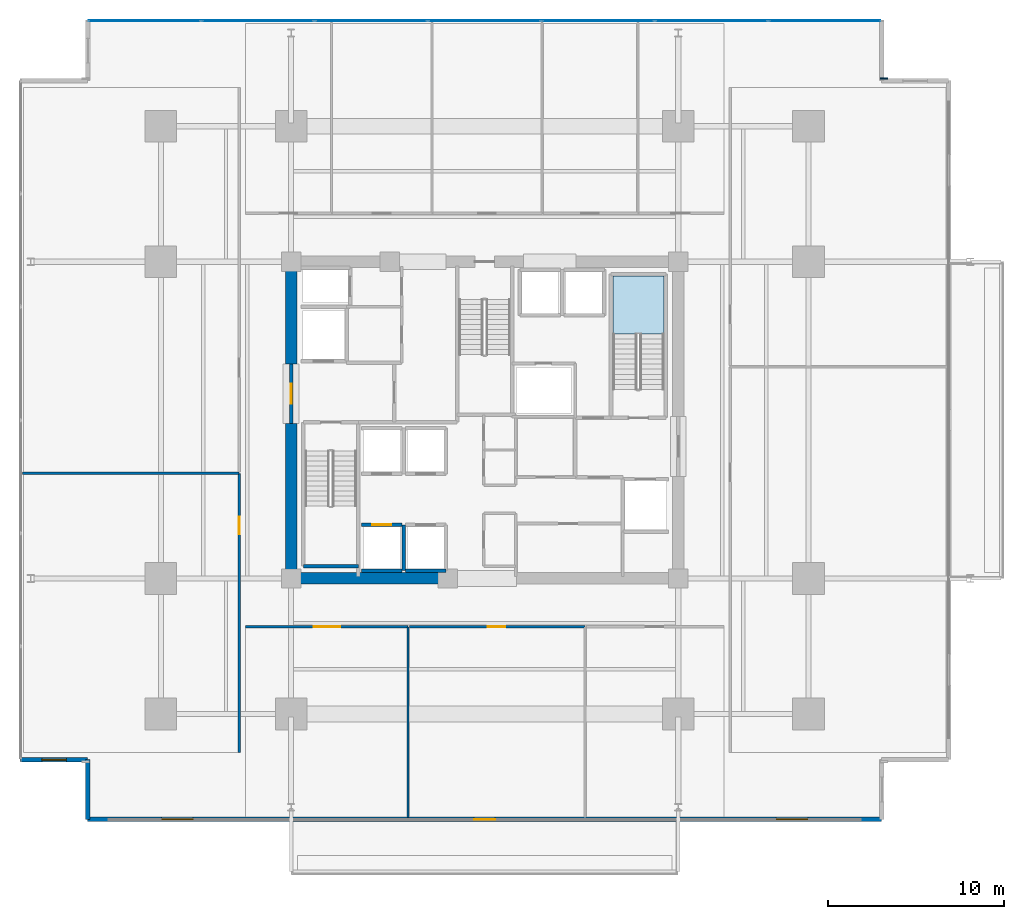
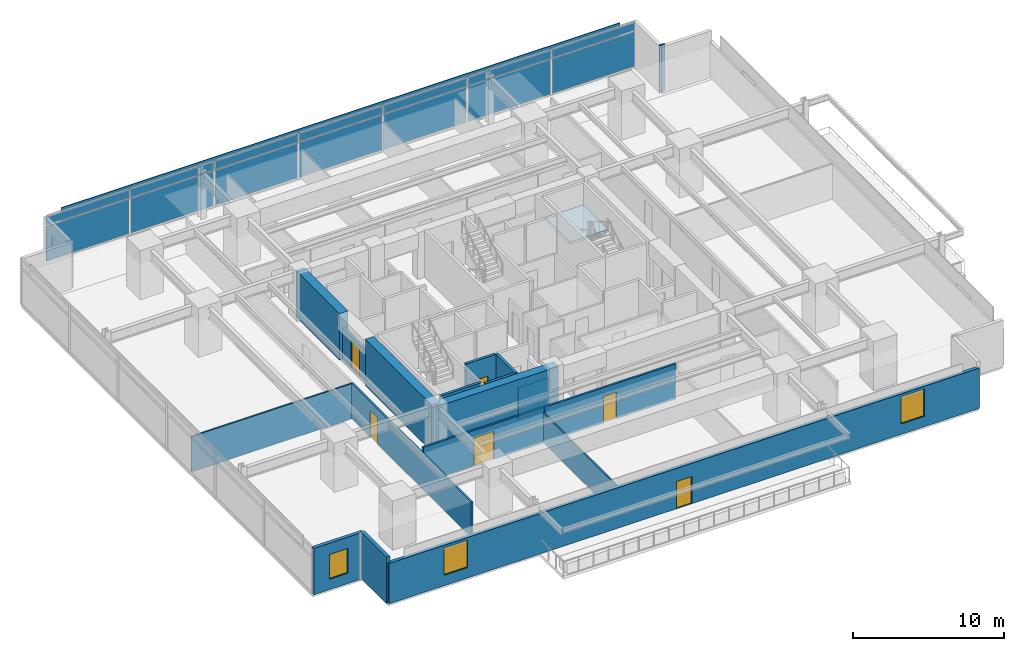
# One storey, part 15 of 23: 17 walls, 16 plates, 6 doors, 3 windows, 1 slab, 9 openings, 2 elements without a shape of their own.
"""IFC4 building model written with IfcOpenShell, lengths in metres."""

import ifcopenshell
import ifcopenshell.guid

model = None  # the IFC model being written
_history = None  # IfcOwnerHistory: only IFC2X3 demands one
_inside = {}  # id of a spatial element -> (the spatial element, [elements in it])
_under = {}  # id of a project, library or spatial element -> (it, [spatial elements below it])
_declared = {}  # id of a project -> (the project, [libraries it declares])
_typed = {}  # id of a type object -> (the type object, [elements of that type])
_made_of = {}  # id of a material, layer set ... -> (it, [elements and type objects made of it])


def new_model(schema):
    """Start an empty IFC model of exactly this schema.

    Asked for "IFC4X3", IfcOpenShell would pick the latest addendum, in which some entities
    have other attributes; the version numbers below select the first issue.
    IFC2X3 requires an IfcOwnerHistory on every rooted entity: one is made here for all.
    """
    global model, _history
    if schema == "IFC4X3":
        model = ifcopenshell.file(schema_version=(4, 3, 0, 0))
    else:
        model = ifcopenshell.file(schema=schema)
    _inside.clear()
    _under.clear()
    _declared.clear()
    _typed.clear()
    _made_of.clear()
    _history = None
    if model.schema == "IFC2X3":
        org = make("IfcOrganization", Name="unknown")
        user = make(
            "IfcPersonAndOrganization",
            ThePerson=make("IfcPerson", FamilyName="unknown"),
            TheOrganization=org,
        )
        app = make(
            "IfcApplication",
            ApplicationDeveloper=org,
            Version="unknown",
            ApplicationFullName="unknown",
            ApplicationIdentifier="unknown",
        )
        _history = make(
            "IfcOwnerHistory",
            OwningUser=user,
            OwningApplication=app,
            ChangeAction="ADDED",
            CreationDate=0,
        )
    return model


def make(cls, **values):
    """One entity of the class cls with the attributes given. An attribute that is None is left unset."""
    return model.create_entity(
        cls, **{name: value for name, value in values.items() if value is not None}
    )


def rooted(cls, **values):
    """An entity with a GlobalId (a new one), such as an element, a storey or a relation."""
    return make(cls, GlobalId=ifcopenshell.guid.new(), OwnerHistory=_history, **values)


def si_unit(unit_type, name, prefix=None):
    """IfcSIUnit, for example si_unit("LENGTHUNIT", "METRE", prefix="MILLI")."""
    return make("IfcSIUnit", UnitType=unit_type, Prefix=prefix, Name=name)


def assignment(units):
    """IfcUnitAssignment: the units of a project."""
    return None if units is None else make("IfcUnitAssignment", Units=units)


def point(xyz):
    """IfcCartesianPoint."""
    return None if xyz is None else make("IfcCartesianPoint", Coordinates=xyz)


def direction(xyz):
    """IfcDirection."""
    return None if xyz is None else make("IfcDirection", DirectionRatios=xyz)


def frame(location, z_axis=None, x_axis=None):
    """IfcAxis2Placement3D, a coordinate frame: its origin and axes. An axis left out is left unset."""
    return make(
        "IfcAxis2Placement3D",
        Location=point(location),
        Axis=direction(z_axis),
        RefDirection=direction(x_axis),
    )


def frame_2d(location, x_axis=None):
    """IfcAxis2Placement2D, a coordinate frame in the plane: its origin and x axis."""
    return make(
        "IfcAxis2Placement2D", Location=point(location), RefDirection=direction(x_axis)
    )


def origin():
    """The frame at (0, 0, 0) with its axes left unset."""
    return frame((0.0, 0.0, 0.0))


def origin_2d():
    """The frame at (0, 0) in the plane with its x axis left unset."""
    return frame_2d((0.0, 0.0))


def place(relative_to, where):
    """IfcLocalPlacement: puts the frame where relative to a parent placement (None: the world)."""
    return make(
        "IfcLocalPlacement", PlacementRelTo=relative_to, RelativePlacement=where
    )


def context(
    kind, dimensions, precision=None, world=None, true_north=None, identifier=None
):
    """IfcGeometricRepresentationContext, for example the 3D "Model" context."""
    return make(
        "IfcGeometricRepresentationContext",
        ContextIdentifier=identifier,
        ContextType=kind,
        CoordinateSpaceDimension=dimensions,
        Precision=precision,
        WorldCoordinateSystem=world,
        TrueNorth=true_north,
    )


def subcontext(parent, identifier, kind, view, scale=None):
    """IfcGeometricRepresentationSubContext, for example "Body" below "Model"."""
    return make(
        "IfcGeometricRepresentationSubContext",
        ContextIdentifier=identifier,
        ContextType=kind,
        ParentContext=parent,
        TargetScale=scale,
        TargetView=view,
    )


def project(units=None, contexts=None):
    """IfcProject with its units and contexts."""
    return rooted(
        "IfcProject",
        Name="project",
        RepresentationContexts=contexts,
        UnitsInContext=assignment(units),
    )


def spatial(cls, under=None, at=None, **own):
    """A site, building, storey or space (cls), placed at a placement, below another one or the project."""
    s = rooted(cls, ObjectPlacement=at, **own)
    if under is not None:
        _under.setdefault(under.id(), (under, []))[1].append(s)
    return s


def polyline(points):
    """IfcPolyline through the points."""
    return make("IfcPolyline", Points=[point(p) for p in points])


def profile(cls, at=None, kind="AREA", **sizes):
    """A parametric profile (cls). Its sizes go by their IFC names, for example OverallWidth=200.0."""
    return make(cls, ProfileType=kind, Position=at, **sizes)


def rectangle(**sizes):
    """IfcRectangleProfileDef."""
    return profile("IfcRectangleProfileDef", **sizes)


def outline(outer, holes=None, kind="AREA"):
    """IfcArbitraryClosedProfileDef: a profile drawn as a closed curve; with holes, ...WithVoids."""
    if holes is None:
        return make("IfcArbitraryClosedProfileDef", ProfileType=kind, OuterCurve=outer)
    return make(
        "IfcArbitraryProfileDefWithVoids",
        ProfileType=kind,
        OuterCurve=outer,
        InnerCurves=holes,
    )


def extrude(swept, where, along, depth):
    """IfcExtrudedAreaSolid: the profile swept, set in the frame where, extruded along a direction by depth."""
    return make(
        "IfcExtrudedAreaSolid",
        SweptArea=swept,
        Position=where,
        ExtrudedDirection=direction(along),
        Depth=depth,
    )


def shape(context_of_items, identifier, shape_type, items):
    """IfcShapeRepresentation: the items that make up one representation, for example the "Body"."""
    return make(
        "IfcShapeRepresentation",
        ContextOfItems=context_of_items,
        RepresentationIdentifier=identifier,
        RepresentationType=shape_type,
        Items=items,
    )


def material(Name=None, Category=None):
    """IfcMaterial."""
    return make("IfcMaterial", Name=Name, Category=Category)


def layer(
    of_material, thickness, ventilated=None, Name=None, Category=None, Priority=None
):
    """IfcMaterialLayer: one layer of a wall or slab, of a material (None: an air gap)."""
    return make(
        "IfcMaterialLayer",
        Material=of_material,
        LayerThickness=thickness,
        IsVentilated=ventilated,
        Name=Name,
        Category=Category,
        Priority=Priority,
    )


def layer_set(layers, Name=None):
    """IfcMaterialLayerSet."""
    return make("IfcMaterialLayerSet", MaterialLayers=layers, LayerSetName=Name)


def made_of(thing, what):
    """Note that an element or type object is made of a material, layer set ...; save() writes the relation."""
    if what is not None:
        _made_of.setdefault(what.id(), (what, []))[1].append(thing)
    return thing


def type_object(cls, material=None, **own):
    """A type object (cls), such as IfcWallType, which elements share."""
    return made_of(rooted(cls, **own), material)


def element(
    cls,
    number,
    at=None,
    inside=None,
    cuts=None,
    type_object=None,
    material=None,
    context=None,
    identifier="Body",
    shape_type=None,
    held_by="IfcProductDefinitionShape",
    body=None,
    shapes=None,
    **own,
):
    """One element of the class cls, such as IfcWall. Its Tag is "e" and its number.

    at: its placement. inside: the storey or other place that contains it. cuts: it is an
    opening in that element (IfcRelVoidsElement). A single representation is given by context,
    identifier, shape_type and body (its items); several are given by shapes. held_by: the class
    of the entity that holds the representations. save() writes the other relations.
    """
    e = rooted(cls, Tag="e%d" % number, ObjectPlacement=at, **own)
    if body is not None:
        shapes = [shape(context, identifier, shape_type, body)]
    if shapes is not None:
        e.Representation = make(held_by, Representations=shapes)
    if inside is not None:
        _inside.setdefault(inside.id(), (inside, []))[1].append(e)
    if cuts is not None:
        rooted(
            "IfcRelVoidsElement", RelatingBuildingElement=cuts, RelatedOpeningElement=e
        )
    if type_object is not None:
        _typed.setdefault(type_object.id(), (type_object, []))[1].append(e)
    return made_of(e, material)


def fill(opening, filler):
    """IfcRelFillsElement: the door or window that sits in an opening."""
    return rooted(
        "IfcRelFillsElement",
        RelatingOpeningElement=opening,
        RelatedBuildingElement=filler,
    )


def aggregate(whole, parts):
    """IfcRelAggregates: a whole, such as a stair, and the parts it consists of."""
    return rooted("IfcRelAggregates", RelatingObject=whole, RelatedObjects=parts)


def save(model, path):
    """Write the relations noted so far, then the file.

    IfcRelAggregates (storeys below a building ...), IfcRelContainedInSpatialStructure (elements
    in a storey), IfcRelDefinesByType, IfcRelAssociatesMaterial and IfcRelDeclares: one each for
    every whole, place, type object, material and project.
    """
    for whole, parts in _under.values():
        aggregate(whole, parts)
    for where, things in _inside.values():
        rooted(
            "IfcRelContainedInSpatialStructure",
            RelatedElements=things,
            RelatingStructure=where,
        )
    for kind, things in _typed.values():
        rooted("IfcRelDefinesByType", RelatedObjects=things, RelatingType=kind)
    for what, things in _made_of.values():
        rooted("IfcRelAssociatesMaterial", RelatedObjects=things, RelatingMaterial=what)
    for by, libraries in _declared.values():
        rooted("IfcRelDeclares", RelatingContext=by, RelatedDefinitions=libraries)
    model.write(path)


model = new_model("IFC4")

# Units and contexts
model_context = context("Model", 3, precision=1e-05, world=origin(), true_north=direction((0.0, 1.0)))
body_context = subcontext(model_context, "Body", "Model", "MODEL_VIEW")
ifc_project = project(units=[si_unit("LENGTHUNIT", "METRE"), si_unit("AREAUNIT", "SQUARE_METRE"), si_unit("VOLUMEUNIT", "CUBIC_METRE"), si_unit("PLANEANGLEUNIT", "RADIAN"), si_unit("MASSUNIT", "GRAM", prefix="KILO")], contexts=[model_context])

# Site, building, storey
site_placement = place(None, origin())
site = spatial("IfcSite", under=ifc_project, at=site_placement, CompositionType="ELEMENT")
building_placement = place(site_placement, origin())
building = spatial("IfcBuilding", under=site, at=building_placement, Name="Kovane Verandah Tower", CompositionType="ELEMENT")
storey_placement = place(building_placement, frame((0.0, 0.0, 91.60009765625)))
storey = spatial("IfcBuildingStorey", under=building, at=storey_placement, Name="L21", CompositionType="ELEMENT", Elevation=91.60009765625)

# Curtain wall, plates
ifc_material_1 = material(Name="Champagne Anodised Aluminium Frame with Low-E Clear Laminated Glass", Category="aluminium")
curtain_wall_type = type_object("IfcCurtainWallType", Name="CW-SYS-02-LOW", PredefinedType="NOTDEFINED", material=ifc_material_1)
curtain_wall_placement = place(storey_placement, origin())
curtain_wall = element("IfcCurtainWall", 1, at=curtain_wall_placement, inside=storey, type_object=curtain_wall_type, Name="L21 N Unitised Curtain Wall", PredefinedType="NOTDEFINED")
ifc_material_2 = material(Name="Pale Champagne Anodised Aluminium Insulated Spandrel", Category="aluminium")
ifc_layer_1 = layer(ifc_material_2, 0.0400390625)
ifc_layer_set_1 = layer_set([ifc_layer_1], Name="Pale Champagne Anodised Aluminium Insulated Spandrel")
plate_type_1 = type_object("IfcPlateType", Name="PL-CW-SPD-40", PredefinedType="SHEET", material=ifc_layer_set_1)
plate_1_placement = place(storey_placement, frame((59.3408203125, 50.19482421875, 3.02978515625), z_axis=(0.0, 0.0, 1.0), x_axis=(-1.0, 0.0, 0.0)))
plate_1 = element("IfcPlate", 2, at=plate_1_placement, type_object=plate_type_1, Name="L21 N Unitised Curtain Wall Spandrel Panel 1", PredefinedType="SHEET", context=body_context, shape_type="SweptSolid", body=[
    extrude(rectangle(XDim=6.306884765625, YDim=0.0400390625, at=origin_2d()), origin(), (0.0, 0.0, 1.0), 0.639892578125),
])
plate_2_placement = place(storey_placement, frame((52.893798828125, 50.19482421875, 3.02978515625), z_axis=(0.0, 0.0, 1.0), x_axis=(-1.0, 0.0, 0.0)))
plate_2 = element("IfcPlate", 3, at=plate_2_placement, type_object=plate_type_1, Name="L21 N Unitised Curtain Wall Spandrel Panel 2", PredefinedType="SHEET", context=body_context, shape_type="SweptSolid", body=[
    extrude(rectangle(XDim=6.306884765625, YDim=0.0400390625, at=origin_2d()), origin(), (0.0, 0.0, 1.0), 0.639892578125),
])
plate_3_placement = place(storey_placement, frame((46.447021484375, 50.19482421875, 3.02978515625), z_axis=(0.0, 0.0, 1.0), x_axis=(-1.0, 0.0, 0.0)))
plate_3 = element("IfcPlate", 4, at=plate_3_placement, type_object=plate_type_1, Name="L21 N Unitised Curtain Wall Spandrel Panel 3", PredefinedType="SHEET", context=body_context, shape_type="SweptSolid", body=[
    extrude(rectangle(XDim=6.306884765625, YDim=0.0400390625, at=origin_2d()), origin(), (0.0, 0.0, 1.0), 0.639892578125),
])
plate_4_placement = place(storey_placement, frame((40.0, 50.19482421875, 3.02978515625), z_axis=(0.0, 0.0, 1.0), x_axis=(-1.0, 0.0, 0.0)))
plate_4 = element("IfcPlate", 5, at=plate_4_placement, type_object=plate_type_1, Name="L21 N Unitised Curtain Wall Spandrel Panel 4", PredefinedType="SHEET", context=body_context, shape_type="SweptSolid", body=[
    extrude(rectangle(XDim=6.306884765625, YDim=0.0400390625, at=origin_2d()), origin(), (0.0, 0.0, 1.0), 0.639892578125),
])
plate_5_placement = place(storey_placement, frame((33.552978515625, 50.19482421875, 3.02978515625), z_axis=(0.0, 0.0, 1.0), x_axis=(-1.0, 0.0, 0.0)))
plate_5 = element("IfcPlate", 6, at=plate_5_placement, type_object=plate_type_1, Name="L21 N Unitised Curtain Wall Spandrel Panel 5", PredefinedType="SHEET", context=body_context, shape_type="SweptSolid", body=[
    extrude(rectangle(XDim=6.306884765625, YDim=0.0400390625, at=origin_2d()), origin(), (0.0, 0.0, 1.0), 0.639892578125),
])
plate_6_placement = place(storey_placement, frame((27.106201171875, 50.19482421875, 3.02978515625), z_axis=(0.0, 0.0, 1.0), x_axis=(-1.0, 0.0, 0.0)))
plate_6 = element("IfcPlate", 7, at=plate_6_placement, type_object=plate_type_1, Name="L21 N Unitised Curtain Wall Spandrel Panel 6", PredefinedType="SHEET", context=body_context, shape_type="SweptSolid", body=[
    extrude(rectangle(XDim=6.306884765625, YDim=0.0400390625, at=origin_2d()), origin(), (0.0, 0.0, 1.0), 0.639892578125),
])
plate_7_placement = place(storey_placement, frame((20.6591796875, 50.19482421875, 3.02978515625), z_axis=(0.0, 0.0, 1.0), x_axis=(-1.0, 0.0, 0.0)))
plate_7 = element("IfcPlate", 8, at=plate_7_placement, type_object=plate_type_1, Name="L21 N Unitised Curtain Wall Spandrel Panel 7", PredefinedType="SHEET", context=body_context, shape_type="SweptSolid", body=[
    extrude(rectangle(XDim=6.306884765625, YDim=0.0400390625, at=origin_2d()), origin(), (0.0, 0.0, 1.0), 0.639892578125),
])
ifc_material_3 = material(Name="Clear Low-E Laminated Double Glazing", Category="glass")
ifc_layer_2 = layer(ifc_material_3, 0.031982421875)
ifc_layer_set_2 = layer_set([ifc_layer_2], Name="Clear Low-E Laminated Double Glazing")
plate_type_2 = type_object("IfcPlateType", Name="PL-CW-VIS-32", PredefinedType="CURTAIN_PANEL", material=ifc_layer_set_2)
plate_8_placement = place(storey_placement, frame((59.3408203125, 50.19482421875, 0.099853515625), z_axis=(0.0, 0.0, 1.0), x_axis=(-1.0, 0.0, 0.0)))
plate_8 = element("IfcPlate", 9, at=plate_8_placement, type_object=plate_type_2, Name="L21 N Unitised Curtain Wall Vision Panel 1", PredefinedType="CURTAIN_PANEL", context=body_context, shape_type="SweptSolid", body=[
    extrude(rectangle(XDim=6.306884765625, YDim=0.031982421875, at=origin_2d()), origin(), (0.0, 0.0, 1.0), 2.830078125),
])
plate_9_placement = place(storey_placement, frame((52.893798828125, 50.19482421875, 0.099853515625), z_axis=(0.0, 0.0, 1.0), x_axis=(-1.0, 0.0, 0.0)))
plate_9 = element("IfcPlate", 10, at=plate_9_placement, type_object=plate_type_2, Name="L21 N Unitised Curtain Wall Vision Panel 2", PredefinedType="CURTAIN_PANEL", context=body_context, shape_type="SweptSolid", body=[
    extrude(rectangle(XDim=6.306884765625, YDim=0.031982421875, at=origin_2d()), origin(), (0.0, 0.0, 1.0), 2.830078125),
])
plate_10_placement = place(storey_placement, frame((46.447021484375, 50.19482421875, 0.099853515625), z_axis=(0.0, 0.0, 1.0), x_axis=(-1.0, 0.0, 0.0)))
plate_10 = element("IfcPlate", 11, at=plate_10_placement, type_object=plate_type_2, Name="L21 N Unitised Curtain Wall Vision Panel 3", PredefinedType="CURTAIN_PANEL", context=body_context, shape_type="SweptSolid", body=[
    extrude(rectangle(XDim=6.306884765625, YDim=0.031982421875, at=origin_2d()), origin(), (0.0, 0.0, 1.0), 2.830078125),
])
plate_11_placement = place(storey_placement, frame((40.0, 50.19482421875, 0.099853515625), z_axis=(0.0, 0.0, 1.0), x_axis=(-1.0, 0.0, 0.0)))
plate_11 = element("IfcPlate", 12, at=plate_11_placement, type_object=plate_type_2, Name="L21 N Unitised Curtain Wall Vision Panel 4", PredefinedType="CURTAIN_PANEL", context=body_context, shape_type="SweptSolid", body=[
    extrude(rectangle(XDim=6.306884765625, YDim=0.031982421875, at=origin_2d()), origin(), (0.0, 0.0, 1.0), 2.830078125),
])
plate_12_placement = place(storey_placement, frame((33.552978515625, 50.19482421875, 0.099853515625), z_axis=(0.0, 0.0, 1.0), x_axis=(-1.0, 0.0, 0.0)))
plate_12 = element("IfcPlate", 13, at=plate_12_placement, type_object=plate_type_2, Name="L21 N Unitised Curtain Wall Vision Panel 5", PredefinedType="CURTAIN_PANEL", context=body_context, shape_type="SweptSolid", body=[
    extrude(rectangle(XDim=6.306884765625, YDim=0.031982421875, at=origin_2d()), origin(), (0.0, 0.0, 1.0), 2.830078125),
])
plate_13_placement = place(storey_placement, frame((27.106201171875, 50.19482421875, 0.099853515625), z_axis=(0.0, 0.0, 1.0), x_axis=(-1.0, 0.0, 0.0)))
plate_13 = element("IfcPlate", 14, at=plate_13_placement, type_object=plate_type_2, Name="L21 N Unitised Curtain Wall Vision Panel 6", PredefinedType="CURTAIN_PANEL", context=body_context, shape_type="SweptSolid", body=[
    extrude(rectangle(XDim=6.306884765625, YDim=0.031982421875, at=origin_2d()), origin(), (0.0, 0.0, 1.0), 2.830078125),
])
plate_14_placement = place(storey_placement, frame((20.6591796875, 50.19482421875, 0.099853515625), z_axis=(0.0, 0.0, 1.0), x_axis=(-1.0, 0.0, 0.0)))
plate_14 = element("IfcPlate", 15, at=plate_14_placement, type_object=plate_type_2, Name="L21 N Unitised Curtain Wall Vision Panel 7", PredefinedType="CURTAIN_PANEL", context=body_context, shape_type="SweptSolid", body=[
    extrude(rectangle(XDim=6.306884765625, YDim=0.031982421875, at=origin_2d()), origin(), (0.0, 0.0, 1.0), 2.830078125),
])
aggregate(curtain_wall, [plate_8, plate_1, plate_9, plate_2, plate_10, plate_3, plate_11, plate_4, plate_12, plate_5, plate_13, plate_6, plate_14, plate_7])

# Plates
ifc_material_4 = material(Name="Timber-Toned Subtropical Aluminium Vertical Blade", Category="wood")
ifc_layer_3 = layer(ifc_material_4, 0.090087890625)
ifc_layer_set_3 = layer_set([ifc_layer_3], Name="Timber-Toned Subtropical Aluminium Vertical Blade")
plate_type_3 = type_object("IfcPlateType", Name="PL-FIN-90", PredefinedType="USERDEFINED", material=ifc_layer_set_3)
plate_15_placement = place(storey_placement, frame((62.68408203125, 46.914794921875, -0.02001953125), z_axis=(0.0, 0.0, 1.0), x_axis=(1.0, 0.0, 0.0)))
element("IfcPlate", 16, at=plate_15_placement, inside=storey, type_object=plate_type_3, Name="L21 NE Timber-Toned Vertical Corner Fin", ObjectType="FIN", PredefinedType="USERDEFINED", context=body_context, shape_type="SweptSolid", body=[
    extrude(rectangle(XDim=0.419921875, YDim=0.090087890625, at=origin_2d()), origin(), (0.0, 0.0, 1.0), 3.820068359375),
])
ifc_material_5 = material(Name="Perforated Pale Champagne Anodised Aluminium Solar Screen", Category="aluminium")
ifc_layer_4 = layer(ifc_material_5, 0.050048828125)
ifc_layer_set_4 = layer_set([ifc_layer_4], Name="Perforated Pale Champagne Anodised Aluminium Solar Screen")
plate_type_4 = type_object("IfcPlateType", Name="PL-SCREEN-50", PredefinedType="USERDEFINED", material=ifc_layer_set_4)
plate_16_placement = place(storey_placement, frame((40.0, 50.2099609375, 2.85986328125), z_axis=(0.0, 0.0, 1.0), x_axis=(-1.0, 0.0, 0.0)))
element("IfcPlate", 17, at=plate_16_placement, inside=storey, type_object=plate_type_4, Name="L21 N Perforated Champagne-Gold Solar Screen", ObjectType="SCREEN", PredefinedType="USERDEFINED", context=body_context, shape_type="SweptSolid", body=[
    extrude(rectangle(XDim=42.72802734375, YDim=0.050048828125, at=origin_2d()), origin(), (0.0, 0.0, 1.0), 1.14990234375),
])

# Stair, slab
ifc_material_6 = material(Name="Concrete C45/55", Category="concrete")
stair_type = type_object("IfcStairType", Name="ST-CORE-1380", PredefinedType="HALF_TURN_STAIR", material=ifc_material_6)
stair_placement = place(storey_placement, origin())
stair = element("IfcStair", 18, at=stair_placement, inside=storey, type_object=stair_type, Name="L21 Exit Stair ST-02", PredefinedType="HALF_TURN_STAIR")
ifc_layer_5 = layer(ifc_material_6, 0.199951171875)
ifc_layer_set_5 = layer_set([ifc_layer_5], Name="Concrete C45/55")
slab_type = type_object("IfcSlabType", Name="SL-LAND-200", PredefinedType="LANDING", material=ifc_layer_set_5)
slab_placement = place(storey_placement, frame((0.0, 0.0, 1.7998046875)))
slab = element("IfcSlab", 19, at=slab_placement, type_object=slab_type, Name="ST-02 landing 1", PredefinedType="LANDING", context=body_context, shape_type="SweptSolid", body=[
    extrude(outline(polyline([(50.199951171875, 32.385009765625), (50.199951171875, 35.699951171875), (47.280029296875, 35.699951171875), (47.280029296875, 32.385009765625), (50.199951171875, 32.385009765625)])), origin(), (0.0, 0.0, 1.0), 0.2001953125),
])
aggregate(stair, [slab])

# Wall, opening, door
ifc_material_7 = material(Name="Fire-Rated Gypsum Stud Partition", Category="gypsum")
ifc_layer_6 = layer(ifc_material_7, 0.14990234375)
ifc_layer_set_6 = layer_set([ifc_layer_6], Name="Fire-Rated Gypsum Stud Partition")
wall_type_1 = type_object("IfcWallType", Name="WL-COR-150", PredefinedType="PARTITIONING", material=ifc_layer_set_6)
wall_1_placement = place(storey_placement, frame((26.39990234375, 15.75, 0.0), z_axis=(0.0, 0.0, 1.0), x_axis=(1.0, 0.0, 0.0)))
wall_1 = element("IfcWall", 20, at=wall_1_placement, inside=storey, type_object=wall_type_1, Name="L21 Client Boardroom S1 Corridor Partition", PredefinedType="PARTITIONING", context=body_context, shape_type="SweptSolid", body=[
    extrude(rectangle(XDim=9.248046875, YDim=0.14990234375, at=frame_2d((4.6240234375, 0.0))), origin(), (0.0, 0.0, 1.0), 2.849853515625),
])
opening_1_placement = place(wall_1_placement, frame((3.888916015625, 0.0, 0.0)))
opening_1 = element("IfcOpeningElement", 21, at=opening_1_placement, cuts=wall_1, Name="Opening DR-L21-022", PredefinedType="OPENING", context=body_context, shape_type="SweptSolid", body=[
    extrude(rectangle(XDim=1.5, YDim=2.25, at=frame_2d((0.75, 1.125))), frame((0.0, 0.074951171875, 0.0), z_axis=(0.0, -1.0, 0.0), x_axis=(1.0, 0.0, 0.0)), (0.0, 0.0, 1.0), 0.14990234375),
])
ifc_material_8 = material(Name="Glazed Timber Fire-Rated Double Door", Category="wood")
door_type_1 = type_object("IfcDoorType", Name="DR-CONF-1500", OperationType="DOUBLE_DOOR_SINGLE_SWING", PredefinedType="DOOR", material=ifc_material_8)
door_1_placement = place(opening_1_placement, origin())
door_1 = element("IfcDoor", 22, at=door_1_placement, inside=storey, type_object=door_type_1, Name="L21 Client Boardroom S1 Entrance Door", OperationType="DOUBLE_DOOR_SINGLE_SWING", OverallHeight=2.25, OverallWidth=1.5, PredefinedType="DOOR", context=body_context, shape_type="SweptSolid", body=[
    extrude(rectangle(XDim=1.5, YDim=2.25, at=frame_2d((0.75, 1.125))), frame((0.0, 0.02490234375, 0.0), z_axis=(0.0, -1.0, 0.0), x_axis=(1.0, 0.0, 0.0)), (0.0, 0.0, 1.0), 0.050048828125),
])
fill(opening_1, door_1)

wall_2_placement = place(storey_placement, frame((35.718017578125, 15.75, 0.0), z_axis=(0.0, 0.0, 1.0), x_axis=(1.0, 0.0, 0.0)))
wall_2 = element("IfcWall", 23, at=wall_2_placement, inside=storey, type_object=wall_type_1, Name="L21 Meeting Room S2 Corridor Partition", PredefinedType="PARTITIONING", context=body_context, shape_type="SweptSolid", body=[
    extrude(rectangle(XDim=9.993896484375, YDim=0.14990234375, at=frame_2d((4.9970703125, 0.0))), origin(), (0.0, 0.0, 1.0), 2.849853515625),
])
opening_2_placement = place(wall_2_placement, frame((4.4619140625, 0.0, 0.0)))
opening_2 = element("IfcOpeningElement", 24, at=opening_2_placement, cuts=wall_2, Name="Opening DR-L21-023", PredefinedType="OPENING", context=body_context, shape_type="SweptSolid", body=[
    extrude(rectangle(XDim=1.0, YDim=2.14990234375, at=frame_2d((0.5, 1.074951171875))), frame((0.0, 0.074951171875, 0.0), z_axis=(0.0, -1.0, 0.0), x_axis=(1.0, 0.0, 0.0)), (0.0, 0.0, 1.0), 0.14990234375),
])
ifc_material_9 = material(Name="FSC Spotted-Gum Timber Fire-Rated Office Door", Category="wood")
door_type_2 = type_object("IfcDoorType", Name="DR-OFF-1000", OperationType="SINGLE_SWING_LEFT", PredefinedType="DOOR", material=ifc_material_9)
door_2_placement = place(opening_2_placement, origin())
door_2 = element("IfcDoor", 25, at=door_2_placement, inside=storey, type_object=door_type_2, Name="L21 Meeting Room S2 Entrance Door", OperationType="SINGLE_SWING_LEFT", OverallHeight=2.14990234375, OverallWidth=1.0, PredefinedType="DOOR", context=body_context, shape_type="SweptSolid", body=[
    extrude(rectangle(XDim=1.0, YDim=2.14990234375, at=frame_2d((0.5, 1.074951171875))), frame((0.0, 0.02490234375, 0.0), z_axis=(0.0, -1.0, 0.0), x_axis=(1.0, 0.0, 0.0)), (0.0, 0.0, 1.0), 0.050048828125),
])
fill(opening_2, door_2)

wall_3_placement = place(storey_placement, frame((26.050048828125, 8.60498046875, 0.0), z_axis=(0.0, 0.0, 1.0), x_axis=(0.0, 1.0, 0.0)))
wall_3 = element("IfcWall", 26, at=wall_3_placement, inside=storey, type_object=wall_type_1, Name="L21 Breakout Pantry W1 Corridor Partition", PredefinedType="PARTITIONING", context=body_context, shape_type="SweptSolid", body=[
    extrude(rectangle(XDim=15.871826171875, YDim=0.14990234375, at=frame_2d((7.93603515625, 0.0))), origin(), (0.0, 0.0, 1.0), 2.849853515625),
])
opening_3_placement = place(wall_3_placement, frame((12.398193359375, 0.0, 0.0)))
opening_3 = element("IfcOpeningElement", 27, at=opening_3_placement, cuts=wall_3, Name="Opening DR-L21-029", PredefinedType="OPENING", context=body_context, shape_type="SweptSolid", body=[
    extrude(rectangle(XDim=1.0, YDim=2.14990234375, at=frame_2d((0.5, 1.074951171875))), frame((0.0, 0.074951171875, 0.0), z_axis=(0.0, -1.0, 0.0), x_axis=(1.0, 0.0, 0.0)), (0.0, 0.0, 1.0), 0.14990234375),
])
door_3_placement = place(opening_3_placement, origin())
door_3 = element("IfcDoor", 28, at=door_3_placement, inside=storey, type_object=door_type_2, Name="L21 Breakout Pantry W1 Entrance Door", OperationType="SINGLE_SWING_LEFT", OverallHeight=2.14990234375, OverallWidth=1.0, PredefinedType="DOOR", context=body_context, shape_type="SweptSolid", body=[
    extrude(rectangle(XDim=1.0, YDim=2.14990234375, at=frame_2d((0.5, 1.074951171875))), frame((0.0, 0.02490234375, 0.0), z_axis=(0.0, -1.0, 0.0), x_axis=(1.0, 0.0, 0.0)), (0.0, 0.0, 1.0), 0.050048828125),
])
fill(opening_3, door_3)

# Walls
ifc_material_10 = material(Name="Concrete C80/95", Category="concrete")
ifc_layer_7 = layer(ifc_material_10, 0.64990234375)
ifc_layer_set_7 = layer_set([ifc_layer_7], Name="Concrete C80/95")
wall_type_2 = type_object("IfcWallType", Name="WL-CORE-650", PredefinedType="SHEAR", material=ifc_layer_set_7)
wall_4_placement = place(storey_placement, frame((29.0, 18.5, 0.0), z_axis=(0.0, 0.0, 1.0), x_axis=(1.0, 0.0, 0.0)))
element("IfcWall", 29, at=wall_4_placement, inside=storey, type_object=wall_type_2, Name="L21 Core Shear Wall CS-1", PredefinedType="SHEAR", context=body_context, shape_type="SweptSolid", body=[
    extrude(rectangle(XDim=9.199951171875, YDim=0.64990234375, at=frame_2d((4.60009765625, 0.0))), origin(), (0.0, 0.0, 1.0), 3.760009765625),
])
wall_5_placement = place(storey_placement, frame((29.0, 18.5, 0.0), z_axis=(0.0, 0.0, 1.0), x_axis=(0.0, 1.0, 0.0)))
element("IfcWall", 30, at=wall_5_placement, inside=storey, type_object=wall_type_2, Name="L21 Core Shear Wall CW-1", PredefinedType="SHEAR", context=body_context, shape_type="SweptSolid", body=[
    extrude(rectangle(XDim=8.800048828125, YDim=0.64990234375, at=frame_2d((4.39990234375, 0.0))), origin(), (0.0, 0.0, 1.0), 3.760009765625),
])
wall_6_placement = place(storey_placement, frame((29.0, 30.699951171875, 0.0), z_axis=(0.0, 0.0, 1.0), x_axis=(0.0, 1.0, 0.0)))
element("IfcWall", 31, at=wall_6_placement, inside=storey, type_object=wall_type_2, Name="L21 Core Shear Wall CW-2", PredefinedType="SHEAR", context=body_context, shape_type="SweptSolid", body=[
    extrude(rectangle(XDim=5.800048828125, YDim=0.64990234375, at=frame_2d((2.89990234375, 0.0))), origin(), (0.0, 0.0, 1.0), 3.760009765625),
])

# Wall, opening, door
ifc_material_11 = material(Name="Concrete C45/55 Fire Wall", Category="concrete")
ifc_layer_8 = layer(ifc_material_11, 0.199951171875)
ifc_layer_set_8 = layer_set([ifc_layer_8], Name="Concrete C45/55 Fire Wall")
wall_type_3 = type_object("IfcWallType", Name="WL-FFL-200", PredefinedType="PARTITIONING", material=ifc_layer_set_8)
wall_7_placement = place(storey_placement, frame((29.0, 27.300048828125, 0.0), z_axis=(0.0, 0.0, 1.0), x_axis=(0.0, 1.0, 0.0)))
wall_7 = element("IfcWall", 32, at=wall_7_placement, inside=storey, type_object=wall_type_3, Name="W-L21-FFLW-OUT", PredefinedType="PARTITIONING", context=body_context, shape_type="SweptSolid", body=[
    extrude(rectangle(XDim=3.39990234375, YDim=0.199951171875, at=frame_2d((1.699951171875, 0.0))), origin(), (0.0, 0.0, 1.0), 2.539794921875),
])
opening_4_placement = place(wall_7_placement, frame((1.125, 0.0, 0.0)))
opening_4 = element("IfcOpeningElement", 33, at=opening_4_placement, cuts=wall_7, Name="Opening DR-L21-007", PredefinedType="OPENING", context=body_context, shape_type="SweptSolid", body=[
    extrude(rectangle(XDim=1.14990234375, YDim=2.199951171875, at=frame_2d((0.574951171875, 1.10009765625))), frame((0.0, 0.10009765625, 0.0), z_axis=(0.0, -1.0, 0.0), x_axis=(1.0, 0.0, 0.0)), (0.0, 0.0, 1.0), 0.199951171875),
])
ifc_material_12 = material(Name="Smoke-Sealed Firefighting Lobby Door", Category="steel")
door_type_3 = type_object("IfcDoorType", Name="DR-FFL-1150", OperationType="SINGLE_SWING_LEFT", PredefinedType="DOOR", material=ifc_material_12)
door_4_placement = place(opening_4_placement, origin())
door_4 = element("IfcDoor", 34, at=door_4_placement, inside=storey, type_object=door_type_3, Name="L21 West Firefighting Lobby Corridor Door", OperationType="SINGLE_SWING_RIGHT", OverallHeight=2.199951171875, OverallWidth=1.14990234375, PredefinedType="DOOR", context=body_context, shape_type="SweptSolid", body=[
    extrude(rectangle(XDim=1.14990234375, YDim=2.199951171875, at=frame_2d((0.574951171875, 1.10009765625))), frame((0.0, 0.02490234375, 0.0), z_axis=(0.0, -1.0, 0.0), x_axis=(1.0, 0.0, 0.0)), (0.0, 0.0, 1.0), 0.050048828125),
])
fill(opening_4, door_4)

# Wall
ifc_material_13 = material(Name="Concrete C45/55 Lift Shaft Wall", Category="concrete")
ifc_layer_9 = layer(ifc_material_13, 0.199951171875)
ifc_layer_set_9 = layer_set([ifc_layer_9], Name="Concrete C45/55 Lift Shaft Wall")
wall_type_4 = type_object("IfcWallType", Name="WL-LIFT-200", PredefinedType="SOLIDWALL", material=ifc_layer_set_9)
wall_8_placement = place(storey_placement, frame((33.0, 18.949951171875, 0.0), z_axis=(0.0, 0.0, 1.0), x_axis=(1.0, 0.0, 0.0)))
element("IfcWall", 35, at=wall_8_placement, inside=storey, type_object=wall_type_4, Name="L21 Lift PL-L1 S Shaft Wall", PredefinedType="SOLIDWALL", context=body_context, shape_type="SweptSolid", body=[
    extrude(rectangle(XDim=2.300048828125, YDim=0.199951171875, at=frame_2d((1.14990234375, 0.0))), origin(), (0.0, 0.0, 1.0), 3.760009765625),
])

# Wall, opening, door
wall_9_placement = place(storey_placement, frame((35.300048828125, 21.550048828125, 0.0), z_axis=(0.0, 0.0, 1.0), x_axis=(-1.0, 0.0, 0.0)))
wall_9 = element("IfcWall", 36, at=wall_9_placement, inside=storey, type_object=wall_type_4, Name="L21 Lift PL-L1 N Shaft Wall", PredefinedType="SOLIDWALL", context=body_context, shape_type="SweptSolid", body=[
    extrude(rectangle(XDim=2.300048828125, YDim=0.199951171875, at=frame_2d((1.14990234375, 0.0))), origin(), (0.0, 0.0, 1.0), 3.760009765625),
])
opening_5_placement = place(wall_9_placement, frame((0.60009765625, 0.0, 0.0)))
opening_5 = element("IfcOpeningElement", 37, at=opening_5_placement, cuts=wall_9, Name="Opening LD-L21-004", PredefinedType="OPENING", context=body_context, shape_type="SweptSolid", body=[
    extrude(rectangle(XDim=1.10009765625, YDim=2.199951171875, at=frame_2d((0.550048828125, 1.10009765625))), frame((0.0, 0.10009765625, 0.0), z_axis=(0.0, -1.0, 0.0), x_axis=(1.0, 0.0, 0.0)), (0.0, 0.0, 1.0), 0.199951171875),
])
ifc_material_14 = material(Name="Brushed Stainless Steel Sliding Lift Landing Door", Category="steel")
door_type_4 = type_object("IfcDoorType", Name="DR-LIFT-1100", OperationType="SLIDING_TO_RIGHT", PredefinedType="DOOR", material=ifc_material_14)
door_5_placement = place(opening_5_placement, origin())
door_5 = element("IfcDoor", 38, at=door_5_placement, inside=storey, type_object=door_type_4, Name="L21 Lift PL-L1 Sliding Landing Door", OperationType="SLIDING_TO_RIGHT", OverallHeight=2.199951171875, OverallWidth=1.10009765625, PredefinedType="DOOR", context=body_context, shape_type="SweptSolid", body=[
    extrude(rectangle(XDim=1.10009765625, YDim=2.199951171875, at=frame_2d((0.550048828125, 1.10009765625))), frame((0.0, 0.02490234375, 0.0), z_axis=(0.0, -1.0, 0.0), x_axis=(1.0, 0.0, 0.0)), (0.0, 0.0, 1.0), 0.050048828125),
])
fill(opening_5, door_5)

# Walls
wall_10_placement = place(storey_placement, frame((35.39990234375, 18.949951171875, 0.0), z_axis=(0.0, 0.0, 1.0), x_axis=(0.0, 1.0, 0.0)))
element("IfcWall", 39, at=wall_10_placement, inside=storey, type_object=wall_type_4, Name="L21 Lift PL-L1 and PL-L2 Shared Shaft Wall", PredefinedType="SOLIDWALL", context=body_context, shape_type="SweptSolid", body=[
    extrude(rectangle(XDim=2.60009765625, YDim=0.199951171875, at=frame_2d((1.300048828125, 0.0))), origin(), (0.0, 0.0, 1.0), 3.760009765625),
])
wall_11_placement = place(storey_placement, frame((35.5, 18.949951171875, 0.0), z_axis=(0.0, 0.0, 1.0), x_axis=(1.0, 0.0, 0.0)))
element("IfcWall", 40, at=wall_11_placement, inside=storey, type_object=wall_type_4, Name="L21 Lift PL-L2 S Shaft Wall", PredefinedType="SOLIDWALL", context=body_context, shape_type="SweptSolid", body=[
    extrude(rectangle(XDim=2.300048828125, YDim=0.199951171875, at=frame_2d((1.14990234375, 0.0))), origin(), (0.0, 0.0, 1.0), 2.539794921875),
])
ifc_material_15 = material(Name="Acoustic Fire-Rated Gypsum Partition", Category="gypsum")
ifc_layer_10 = layer(ifc_material_15, 0.1201171875)
ifc_layer_set_10 = layer_set([ifc_layer_10], Name="Acoustic Fire-Rated Gypsum Partition")
wall_type_5 = type_object("IfcWallType", Name="WL-PART-120", PredefinedType="PARTITIONING", material=ifc_layer_set_10)
wall_12_placement = place(storey_placement, frame((35.64794921875, 4.905029296875, 0.0), z_axis=(0.0, 0.0, 1.0), x_axis=(0.0, 1.0, 0.0)))
element("IfcWall", 41, at=wall_12_placement, inside=storey, type_object=wall_type_5, Name="L21 Client Boardroom S1 Dividing Partition", PredefinedType="PARTITIONING", context=body_context, shape_type="SweptSolid", body=[
    extrude(rectangle(XDim=10.844970703125, YDim=0.1201171875, at=frame_2d((5.42236328125, 0.0))), origin(), (0.0, 0.0, 1.0), 2.389892578125),
])
wall_13_placement = place(storey_placement, frame((13.73583984375, 24.476806640625, 0.0), z_axis=(0.0, 0.0, 1.0), x_axis=(1.0, 0.0, 0.0)))
element("IfcWall", 42, at=wall_13_placement, inside=storey, type_object=wall_type_5, Name="L21 Breakout Pantry W1 Dividing Partition", PredefinedType="PARTITIONING", context=body_context, shape_type="SweptSolid", body=[
    extrude(rectangle(XDim=12.314208984375, YDim=0.1201171875, at=frame_2d((6.1572265625, 0.0))), origin(), (0.0, 0.0, 1.0), 2.849853515625),
])
ifc_layer_11 = layer(ifc_material_6, 0.199951171875)
ifc_layer_set_11 = layer_set([ifc_layer_11], Name="Concrete C45/55")
wall_type_6 = type_object("IfcWallType", Name="WL-SHAFT-200", PredefinedType="SOLIDWALL", material=ifc_layer_set_11)
wall_14_placement = place(storey_placement, frame((29.699951171875, 19.199951171875, 0.0), z_axis=(0.0, 0.0, 1.0), x_axis=(1.0, 0.0, 0.0)))
element("IfcWall", 43, at=wall_14_placement, inside=storey, type_object=wall_type_6, Name="W-L21-ST01-S", PredefinedType="SOLIDWALL", context=body_context, shape_type="SweptSolid", body=[
    extrude(rectangle(XDim=3.1201171875, YDim=0.199951171875, at=frame_2d((1.56005859375, 0.0))), origin(), (0.0, 0.0, 1.0), 3.760009765625),
])

# Wall, openings, door, windows
ifc_material_16 = material(Name="Concrete C45/55 Insulated Spandrel Wall", Category="concrete")
ifc_layer_12 = layer(ifc_material_16, 0.260009765625)
ifc_layer_set_12 = layer_set([ifc_layer_12], Name="Concrete C45/55 Insulated Spandrel Wall")
wall_type_7 = type_object("IfcWallType", Name="WL-SPANDREL-260", PredefinedType="PARAPET", material=ifc_layer_set_12)
wall_15_placement = place(storey_placement, frame((17.435791015625, 4.80517578125, 0.0), z_axis=(0.0, 0.0, 1.0), x_axis=(1.0, 0.0, 0.0)))
wall_15 = element("IfcWall", 44, at=wall_15_placement, inside=storey, type_object=wall_type_7, Name="L21 S Verandah Access Facade Wall", PredefinedType="PARAPET", context=body_context, shape_type="SweptSolid", body=[
    extrude(rectangle(XDim=45.12841796875, YDim=0.260009765625, at=frame_2d((22.564208984375, 0.0))), origin(), (0.0, 0.0, 1.0), 3.272705078125),
])
opening_6_placement = place(wall_15_placement, frame((4.199951171875, 0.0, 0.85009765625)))
opening_6 = element("IfcOpeningElement", 45, at=opening_6_placement, cuts=wall_15, Name="Opening W-03", PredefinedType="OPENING", context=body_context, shape_type="SweptSolid", body=[
    extrude(rectangle(XDim=1.800048828125, YDim=2.199951171875, at=frame_2d((0.89990234375, 1.10009765625))), frame((0.0, 0.1298828125, 0.0), z_axis=(0.0, -1.0, 0.0), x_axis=(1.0, 0.0, 0.0)), (0.0, 0.0, 1.0), 0.260009765625),
])
opening_7_placement = place(wall_15_placement, frame((21.964111328125, 0.0, 0.0)))
opening_7 = element("IfcOpeningElement", 46, at=opening_7_placement, cuts=wall_15, Name="Opening DR-L21-002", PredefinedType="OPENING", context=body_context, shape_type="SweptSolid", body=[
    extrude(rectangle(XDim=1.199951171875, YDim=2.199951171875, at=frame_2d((0.60009765625, 1.10009765625))), frame((0.0, 0.1298828125, 0.0), z_axis=(0.0, -1.0, 0.0), x_axis=(1.0, 0.0, 0.0)), (0.0, 0.0, 1.0), 0.260009765625),
])
opening_8_placement = place(wall_15_placement, frame((39.128173828125, 0.0, 0.85009765625)))
opening_8 = element("IfcOpeningElement", 47, at=opening_8_placement, cuts=wall_15, Name="Opening W-03", PredefinedType="OPENING", context=body_context, shape_type="SweptSolid", body=[
    extrude(rectangle(XDim=1.800048828125, YDim=2.199951171875, at=frame_2d((0.89990234375, 1.10009765625))), frame((0.0, 0.1298828125, 0.0), z_axis=(0.0, -1.0, 0.0), x_axis=(1.0, 0.0, 0.0)), (0.0, 0.0, 1.0), 0.260009765625),
])
ifc_material_17 = material(Name="Cyclone-Rated Glazed Balcony Leaf Door", Category="aluminium")
door_type_5 = type_object("IfcDoorType", Name="DR-BAL-1200x2200", OperationType="SINGLE_SWING_LEFT", PredefinedType="DOOR", material=ifc_material_17)
door_6_placement = place(opening_7_placement, origin())
door_6 = element("IfcDoor", 48, at=door_6_placement, inside=storey, type_object=door_type_5, Name="L21 S Planted Balcony Access Door", OperationType="SINGLE_SWING_LEFT", OverallHeight=2.199951171875, OverallWidth=1.199951171875, PredefinedType="DOOR", context=body_context, shape_type="SweptSolid", body=[
    extrude(rectangle(XDim=1.199951171875, YDim=2.199951171875, at=frame_2d((0.60009765625, 1.10009765625))), frame((0.0, 0.02490234375, 0.0), z_axis=(0.0, -1.0, 0.0), x_axis=(1.0, 0.0, 0.0)), (0.0, 0.0, 1.0), 0.050048828125),
])
fill(opening_7, door_6)
ifc_material_18 = material(Name="Clear Low-E Laminated Double Glazing in Anodised Frame", Category="glass")
window_type_1 = type_object("IfcWindowType", Name="WN-NOTCH-1800x2200", PartitioningType="SINGLE_PANEL", PredefinedType="WINDOW", material=ifc_material_18)
window_1_placement = place(opening_6_placement, origin())
window_1 = element("IfcWindow", 49, at=window_1_placement, inside=storey, type_object=window_type_1, Name="L21 S Verandah View Window 1", OverallHeight=2.199951171875, OverallWidth=1.800048828125, PartitioningType="SINGLE_PANEL", PredefinedType="WINDOW", context=body_context, shape_type="SweptSolid", body=[
    extrude(rectangle(XDim=1.800048828125, YDim=2.199951171875, at=frame_2d((0.89990234375, 1.10009765625))), frame((0.0, 0.030029296875, 0.0), z_axis=(0.0, -1.0, 0.0), x_axis=(1.0, 0.0, 0.0)), (0.0, 0.0, 1.0), 0.06005859375),
])
fill(opening_6, window_1)
window_2_placement = place(opening_8_placement, origin())
window_2 = element("IfcWindow", 50, at=window_2_placement, inside=storey, type_object=window_type_1, Name="L21 S Verandah View Window 2", OverallHeight=2.199951171875, OverallWidth=1.800048828125, PartitioningType="SINGLE_PANEL", PredefinedType="WINDOW", context=body_context, shape_type="SweptSolid", body=[
    extrude(rectangle(XDim=1.800048828125, YDim=2.199951171875, at=frame_2d((0.89990234375, 1.10009765625))), frame((0.0, 0.030029296875, 0.0), z_axis=(0.0, -1.0, 0.0), x_axis=(1.0, 0.0, 0.0)), (0.0, 0.0, 1.0), 0.06005859375),
])
fill(opening_8, window_2)

# Wall, opening, window
wall_16_placement = place(storey_placement, frame((13.635986328125, 8.205078125, 0.0), z_axis=(0.0, 0.0, 1.0), x_axis=(1.0, 0.0, 0.0)))
wall_16 = element("IfcWall", 51, at=wall_16_placement, inside=storey, type_object=wall_type_7, Name="L21 SW Notch Cheek Wall 1", PredefinedType="PARAPET", context=body_context, shape_type="SweptSolid", body=[
    extrude(rectangle(XDim=3.7998046875, YDim=0.260009765625, at=frame_2d((1.89990234375, 0.0))), origin(), (0.0, 0.0, 1.0), 3.760009765625),
])
opening_9_placement = place(wall_16_placement, frame((1.199951171875, 0.0, 0.85009765625)))
opening_9 = element("IfcOpeningElement", 52, at=opening_9_placement, cuts=wall_16, Name="Opening W-01", PredefinedType="OPENING", context=body_context, shape_type="SweptSolid", body=[
    extrude(rectangle(XDim=1.39990234375, YDim=2.0, at=frame_2d((0.699951171875, 1.0))), frame((0.0, 0.1298828125, 0.0), z_axis=(0.0, -1.0, 0.0), x_axis=(1.0, 0.0, 0.0)), (0.0, 0.0, 1.0), 0.260009765625),
])
window_type_2 = type_object("IfcWindowType", Name="WN-OPER-1400x2000", PartitioningType="SINGLE_PANEL", PredefinedType="WINDOW", material=ifc_material_18)
window_3_placement = place(opening_9_placement, origin())
window_3 = element("IfcWindow", 53, at=window_3_placement, inside=storey, type_object=window_type_2, Name="L21 SW Re-Entrant Corner Operable Window", OverallHeight=2.0, OverallWidth=1.39990234375, PartitioningType="SINGLE_PANEL", PredefinedType="WINDOW", context=body_context, shape_type="SweptSolid", body=[
    extrude(rectangle(XDim=1.39990234375, YDim=2.0, at=frame_2d((0.699951171875, 1.0))), frame((0.0, 0.030029296875, 0.0), z_axis=(0.0, -1.0, 0.0), x_axis=(1.0, 0.0, 0.0)), (0.0, 0.0, 1.0), 0.06005859375),
])
fill(opening_9, window_3)

# Wall
wall_17_placement = place(storey_placement, frame((17.435791015625, 8.205078125, 0.0), z_axis=(0.0, 0.0, 1.0), x_axis=(0.0, -1.0, 0.0)))
element("IfcWall", 54, at=wall_17_placement, inside=storey, type_object=wall_type_7, Name="L21 SW Notch Cheek Wall 2", PredefinedType="PARAPET", context=body_context, shape_type="SweptSolid", body=[
    extrude(rectangle(XDim=3.39990234375, YDim=0.260009765625, at=frame_2d((1.699951171875, 0.0))), origin(), (0.0, 0.0, 1.0), 3.760009765625),
])

save(model, "model.ifc")
